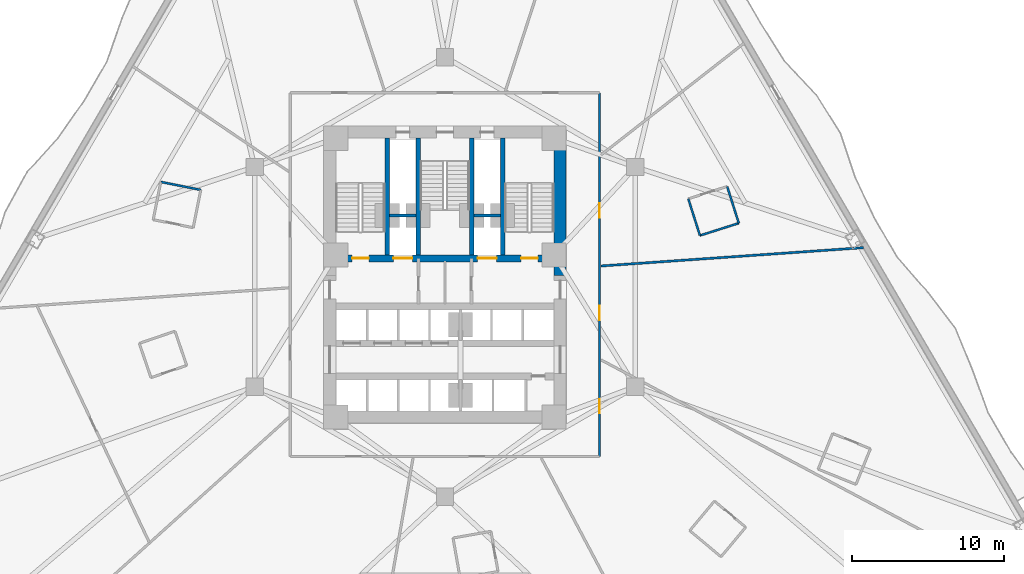
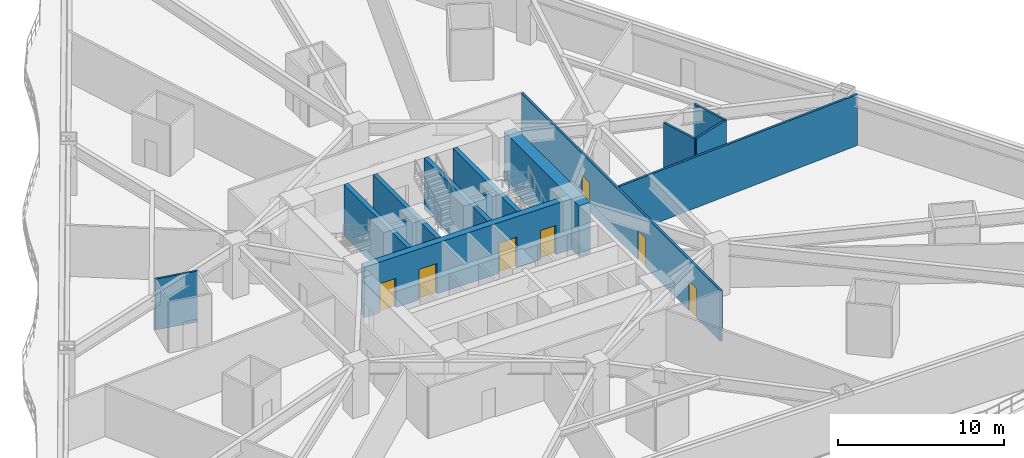
# One storey, part 5 of 12: 14 walls, 7 doors, 7 openings.
"""IFC4 building model written with IfcOpenShell, lengths in metres."""

from ifc_helpers import new_model, si_unit, direction, frame, frame_2d, origin, place, context, subcontext, project, spatial, rectangle, extrude, material, layer, layer_set, type_object, element, fill, save


model = new_model("IFC4")

# Units and contexts
model_context = context("Model", 3, precision=1e-05, world=origin(), true_north=direction((0.0, 1.0)))
body_context = subcontext(model_context, "Body", "Model", "MODEL_VIEW")
ifc_project = project(units=[si_unit("LENGTHUNIT", "METRE"), si_unit("AREAUNIT", "SQUARE_METRE"), si_unit("VOLUMEUNIT", "CUBIC_METRE"), si_unit("PLANEANGLEUNIT", "RADIAN"), si_unit("MASSUNIT", "GRAM", prefix="KILO")], contexts=[model_context])

# Site, building, storey
site_placement = place(None, origin())
site = spatial("IfcSite", under=ifc_project, at=site_placement, CompositionType="ELEMENT")
building_placement = place(site_placement, origin())
building = spatial("IfcBuilding", under=site, at=building_placement, Name="Apsidion Concourse Tower", CompositionType="ELEMENT")
storey_placement = place(building_placement, frame((0.0, 0.0, 34.39990234375)))
storey = spatial("IfcBuildingStorey", under=building, at=storey_placement, Name="L06", CompositionType="ELEMENT", Elevation=34.39990234375)

# Walls
ifc_material_1 = material(Name="Gypsum plasterboard partition")
ifc_layer_1 = layer(ifc_material_1, 0.139892578125)
ifc_layer_set_1 = layer_set([ifc_layer_1], Name="Gypsum plasterboard partition")
wall_type_1 = type_object("IfcWallType", Name="WL-INT-PAR-140", PredefinedType="PARTITIONING", material=ifc_layer_set_1)
wall_1_placement = place(storey_placement, frame((16.822021484375, 2.730712890625, 0.0), z_axis=(0.0, 0.0, 1.0), x_axis=(0.953175772707, 0.302416841998, 0.0)))
element("IfcWall", 1, at=wall_1_placement, inside=storey, type_object=wall_type_1, Name="L06 Interior Partition WL-L06-POD-ENS05-S1", PredefinedType="PARTITIONING", context=body_context, shape_type="SweptSolid", body=[
    extrude(rectangle(XDim=2.68994140625, YDim=0.139892578125, at=frame_2d((1.344970703125, 0.0))), origin(), (0.0, 0.0, 1.0), 3.75),
])
for number, where, z_axis, x_axis, name in (
    (2, (19.385986328125, 3.544189453125, 0.0), (0.0, 0.0, 1.0), (-0.302382317173, 0.953186725811, 0.0), "L06 Interior Partition WL-L06-POD-ENS05-S2"),
    (3, (16.0537109375, 5.15185546875, 0.0), (0.0, 0.0, 1.0), (0.302469641391, -0.953159019281, 0.0), "L06 Interior Partition WL-L06-POD-ENS05-S4"),
):
    element("IfcWall", number, at=place(storey_placement, frame(where, z_axis=z_axis, x_axis=x_axis)), inside=storey, type_object=wall_type_1, Name=name, PredefinedType="PARTITIONING", context=body_context, shape_type="SweptSolid", body=[
        extrude(rectangle(XDim=2.5400390625, YDim=0.139892578125, at=frame_2d((1.27001953125, 0.0))), origin(), (0.0, 0.0, 1.0), 3.75),
    ])
wall_2_placement = place(storey_placement, frame((-16.11181640625, 5.73974609375, 0.0), z_axis=(0.0, 0.0, 1.0), x_axis=(-0.980615566205, 0.195941601799, 0.0)))
element("IfcWall", 4, at=wall_2_placement, inside=storey, type_object=wall_type_1, Name="L06 Interior Partition WL-L06-POD-ENS09-S1", PredefinedType="PARTITIONING", context=body_context, shape_type="SweptSolid", body=[
    extrude(rectangle(XDim=2.690185546875, YDim=0.139892578125, at=frame_2d((1.34521484375, 0.0))), origin(), (0.0, 0.0, 1.0), 3.75),
])

# Wall, openings, doors
ifc_layer_2 = layer(ifc_material_1, 0.14990234375)
ifc_layer_set_2 = layer_set([ifc_layer_2], Name="Gypsum plasterboard partition")
wall_type_2 = type_object("IfcWallType", Name="WL-INT-PAR-150", PredefinedType="PARTITIONING", material=ifc_layer_set_2)
wall_3_placement = place(storey_placement, frame((10.199951171875, 12.14990234375, 0.0), z_axis=(0.0, 0.0, 1.0), x_axis=(0.0, -1.0, 0.0)))
wall_3 = element("IfcWall", 5, at=wall_3_placement, inside=storey, type_object=wall_type_2, Name="L06 Interior Partition WL-L06-CORR-02", PredefinedType="PARTITIONING", context=body_context, shape_type="SweptSolid", body=[
    extrude(rectangle(XDim=24.0, YDim=0.14990234375, at=frame_2d((12.0, 0.0))), origin(), (0.0, 0.0, 1.0), 3.75),
])
opening_1_placement = place(wall_3_placement, frame((20.210693359375, 0.0, 0.0)))
opening_1 = element("IfcOpeningElement", 6, at=opening_1_placement, cuts=wall_3, Name="Opening D-01R", PredefinedType="OPENING", context=body_context, shape_type="SweptSolid", body=[
    extrude(rectangle(XDim=0.949951171875, YDim=2.14990234375, at=frame_2d((0.47509765625, 1.074951171875))), frame((0.0, 0.0849609375, 0.0), z_axis=(0.0, -1.0, 0.0), x_axis=(1.0, 0.0, 0.0)), (0.0, 0.0, 1.0), 0.169921875),
])
opening_2_placement = place(wall_3_placement, frame((14.0498046875, 0.0, 0.0)))
opening_2 = element("IfcOpeningElement", 7, at=opening_2_placement, cuts=wall_3, Name="Opening D-01L", PredefinedType="OPENING", context=body_context, shape_type="SweptSolid", body=[
    extrude(rectangle(XDim=0.949951171875, YDim=2.14990234375, at=frame_2d((0.47509765625, 1.074951171875))), frame((0.0, 0.0849609375, 0.0), z_axis=(0.0, -1.0, 0.0), x_axis=(1.0, 0.0, 0.0)), (0.0, 0.0, 1.0), 0.169921875),
])
opening_3_placement = place(wall_3_placement, frame((7.29150390625, 0.0, 0.0)))
opening_3 = element("IfcOpeningElement", 8, at=opening_3_placement, cuts=wall_3, Name="Opening D-01R", PredefinedType="OPENING", context=body_context, shape_type="SweptSolid", body=[
    extrude(rectangle(XDim=0.949951171875, YDim=2.14990234375, at=frame_2d((0.47509765625, 1.074951171875))), frame((0.0, 0.0849609375, 0.0), z_axis=(0.0, -1.0, 0.0), x_axis=(1.0, 0.0, 0.0)), (0.0, 0.0, 1.0), 0.169921875),
])
ifc_material_2 = material(Name="Brushed stainless steel 316", Category="steel")
door_type_1 = type_object("IfcDoorType", Name="DR-INT-D01L", OperationType="SINGLE_SWING_LEFT", PredefinedType="DOOR", material=ifc_material_2)
door_1_placement = place(opening_2_placement, origin())
door_1 = element("IfcDoor", 9, at=door_1_placement, inside=storey, type_object=door_type_1, Name="L06 Corridor Entry Door 05", OperationType="SINGLE_SWING_LEFT", OverallHeight=2.14990234375, OverallWidth=0.949951171875, PredefinedType="DOOR", context=body_context, shape_type="SweptSolid", body=[
    extrude(rectangle(XDim=0.949951171875, YDim=2.14990234375, at=frame_2d((0.47509765625, 1.074951171875))), frame((0.0, 0.02490234375, 0.0), z_axis=(0.0, -1.0, 0.0), x_axis=(1.0, 0.0, 0.0)), (0.0, 0.0, 1.0), 0.050048828125),
])
fill(opening_2, door_1)
door_type_2 = type_object("IfcDoorType", Name="DR-INT-D01R", OperationType="SINGLE_SWING_RIGHT", PredefinedType="DOOR", material=ifc_material_2)
door_2_placement = place(opening_1_placement, origin())
door_2 = element("IfcDoor", 10, at=door_2_placement, inside=storey, type_object=door_type_2, Name="L06 Corridor Entry Door 04", OperationType="SINGLE_SWING_RIGHT", OverallHeight=2.14990234375, OverallWidth=0.949951171875, PredefinedType="DOOR", context=body_context, shape_type="SweptSolid", body=[
    extrude(rectangle(XDim=0.949951171875, YDim=2.14990234375, at=frame_2d((0.47509765625, 1.074951171875))), frame((0.0, 0.02490234375, 0.0), z_axis=(0.0, -1.0, 0.0), x_axis=(1.0, 0.0, 0.0)), (0.0, 0.0, 1.0), 0.050048828125),
])
fill(opening_1, door_2)
door_3_placement = place(opening_3_placement, origin())
door_3 = element("IfcDoor", 11, at=door_3_placement, inside=storey, type_object=door_type_2, Name="L06 Corridor Entry Door 06", OperationType="SINGLE_SWING_RIGHT", OverallHeight=2.14990234375, OverallWidth=0.949951171875, PredefinedType="DOOR", context=body_context, shape_type="SweptSolid", body=[
    extrude(rectangle(XDim=0.949951171875, YDim=2.14990234375, at=frame_2d((0.47509765625, 1.074951171875))), frame((0.0, 0.02490234375, 0.0), z_axis=(0.0, -1.0, 0.0), x_axis=(1.0, 0.0, 0.0)), (0.0, 0.0, 1.0), 0.050048828125),
])
fill(opening_3, door_3)

# Walls
wall_4_placement = place(storey_placement, frame((10.304931640625, 0.720703125, 0.0), z_axis=(0.0, 0.0, 1.0), x_axis=(0.997564495515, 0.069750106007, 0.0)))
element("IfcWall", 12, at=wall_4_placement, inside=storey, type_object=wall_type_2, Name="L06 Interior Partition WL-L06-RAD-01-1", PredefinedType="PARTITIONING", context=body_context, shape_type="SweptSolid", body=[
    extrude(rectangle(XDim=17.340087890625, YDim=0.14990234375, at=frame_2d((8.669921875, 0.0))), origin(), (0.0, 0.0, 1.0), 3.75),
])
ifc_layer_3 = layer(ifc_material_1, 0.199951171875)
ifc_layer_set_3 = layer_set([ifc_layer_3], Name="Gypsum plasterboard partition")
wall_type_3 = type_object("IfcWallType", Name="WL-INT-PAR-200", PredefinedType="PARTITIONING", material=ifc_layer_set_3)
for number, where, z_axis, x_axis, name in (
    (13, (-3.64990234375, 4.050048828125, 0.0), (0.0, 0.0, 1.0), (1.0, 0.0, 0.0), "L06 Interior Partition WL-L06-FF1-N"),
    (14, (1.919921875, 4.050048828125, 0.0), (0.0, 0.0, 1.0), (1.0, 0.0, 0.0), "L06 Interior Partition WL-L06-FF2-N"),
):
    element("IfcWall", number, at=place(storey_placement, frame(where, z_axis=z_axis, x_axis=x_axis)), inside=storey, type_object=wall_type_3, Name=name, PredefinedType="PARTITIONING", context=body_context, shape_type="SweptSolid", body=[
        extrude(rectangle(XDim=1.72998046875, YDim=0.199951171875, at=frame_2d((0.864990234375, 0.0))), origin(), (0.0, 0.0, 1.0), 3.75),
    ])
ifc_material_3 = material(Name="Concrete C50/60", Category="concrete")
ifc_layer_4 = layer(ifc_material_3, 0.300048828125)
ifc_layer_set_4 = layer_set([ifc_layer_4], Name="Concrete C50/60")
wall_type_4 = type_object("IfcWallType", Name="WL-SH-300", PredefinedType="SHEAR", material=ifc_layer_set_4)
for number, where, z_axis, x_axis, name in (
    (15, (-3.800048828125, 1.449951171875, 0.0), (0.0, 0.0, 1.0), (0.0, 1.0, 0.0), "L06 Central Core Shear Wall V1"),
    (16, (-1.77490234375, 1.449951171875, 0.0), (0.0, 0.0, 1.0), (0.0, 1.0, 0.0), "L06 Central Core Shear Wall V2"),
    (17, (1.77490234375, 1.449951171875, 0.0), (0.0, 0.0, 1.0), (0.0, 1.0, 0.0), "L06 Central Core Shear Wall V3"),
    (18, (3.800048828125, 1.449951171875, 0.0), (0.0, 0.0, 1.0), (0.0, 1.0, 0.0), "L06 Central Core Shear Wall V4"),
):
    element("IfcWall", number, at=place(storey_placement, frame(where, z_axis=z_axis, x_axis=x_axis)), inside=storey, type_object=wall_type_4, Name=name, PredefinedType="SHEAR", context=body_context, shape_type="SweptSolid", body=[
        extrude(rectangle(XDim=7.699951171875, YDim=0.300048828125, at=frame_2d((3.85009765625, 0.0))), origin(), (0.0, 0.0, 1.0), 3.75),
    ])

# Wall, openings, doors
ifc_material_4 = material(Name="Concrete C60/75", Category="concrete")
ifc_layer_5 = layer(ifc_material_4, 0.449951171875)
ifc_layer_set_5 = layer_set([ifc_layer_5], Name="Concrete C60/75")
wall_type_5 = type_object("IfcWallType", Name="WL-SH-450", PredefinedType="SHEAR", material=ifc_layer_set_5)
wall_5_placement = place(storey_placement, frame((-7.199951171875, 1.22509765625, 0.0), z_axis=(0.0, 0.0, 1.0), x_axis=(1.0, 0.0, 0.0)))
wall_5 = element("IfcWall", 19, at=wall_5_placement, inside=storey, type_object=wall_type_5, Name="L06 Central Core Shear Wall M1", PredefinedType="SHEAR", context=body_context, shape_type="SweptSolid", body=[
    extrude(rectangle(XDim=14.39990234375, YDim=0.449951171875, at=frame_2d((7.199951171875, 0.0))), origin(), (0.0, 0.0, 1.0), 3.75),
])
opening_4_placement = place(wall_5_placement, frame((3.794921875, 0.0, 0.0)))
opening_4 = element("IfcOpeningElement", 20, at=opening_4_placement, cuts=wall_5, Name="Opening LD-FF", PredefinedType="OPENING", context=body_context, shape_type="SweptSolid", body=[
    extrude(rectangle(XDim=1.25, YDim=2.25, at=frame_2d((0.625, 1.125))), frame((0.0, 0.23486328125, 0.0), z_axis=(0.0, -1.0, 0.0), x_axis=(1.0, 0.0, 0.0)), (0.0, 0.0, 1.0), 0.469970703125),
])
opening_5_placement = place(wall_5_placement, frame((9.35498046875, 0.0, 0.0)))
opening_5 = element("IfcOpeningElement", 21, at=opening_5_placement, cuts=wall_5, Name="Opening LD-FF", PredefinedType="OPENING", context=body_context, shape_type="SweptSolid", body=[
    extrude(rectangle(XDim=1.25, YDim=2.25, at=frame_2d((0.625, 1.125))), frame((0.0, 0.23486328125, 0.0), z_axis=(0.0, -1.0, 0.0), x_axis=(1.0, 0.0, 0.0)), (0.0, 0.0, 1.0), 0.469970703125),
])
opening_6_placement = place(wall_5_placement, frame((1.074951171875, 0.0, 0.0)))
opening_6 = element("IfcOpeningElement", 22, at=opening_6_placement, cuts=wall_5, Name="Opening D-STL", PredefinedType="OPENING", context=body_context, shape_type="SweptSolid", body=[
    extrude(rectangle(XDim=1.10009765625, YDim=2.14990234375, at=frame_2d((0.550048828125, 1.074951171875))), frame((0.0, 0.23486328125, 0.0), z_axis=(0.0, -1.0, 0.0), x_axis=(1.0, 0.0, 0.0)), (0.0, 0.0, 1.0), 0.469970703125),
])
opening_7_placement = place(wall_5_placement, frame((12.22509765625, 0.0, 0.0)))
opening_7 = element("IfcOpeningElement", 23, at=opening_7_placement, cuts=wall_5, Name="Opening D-STR", PredefinedType="OPENING", context=body_context, shape_type="SweptSolid", body=[
    extrude(rectangle(XDim=1.10009765625, YDim=2.14990234375, at=frame_2d((0.550048828125, 1.074951171875))), frame((0.0, 0.23486328125, 0.0), z_axis=(0.0, -1.0, 0.0), x_axis=(1.0, 0.0, 0.0)), (0.0, 0.0, 1.0), 0.469970703125),
])
door_type_3 = type_object("IfcDoorType", Name="DR-INT-ST1L", OperationType="SINGLE_SWING_LEFT", PredefinedType="DOOR", material=ifc_material_2)
door_4_placement = place(opening_6_placement, origin())
door_4 = element("IfcDoor", 24, at=door_4_placement, inside=storey, type_object=door_type_3, Name="L06 Core Exit Stair ST1 Door", OperationType="SINGLE_SWING_LEFT", OverallHeight=2.14990234375, OverallWidth=1.10009765625, PredefinedType="DOOR", context=body_context, shape_type="SweptSolid", body=[
    extrude(rectangle(XDim=1.10009765625, YDim=2.14990234375, at=frame_2d((0.550048828125, 1.074951171875))), frame((0.0, 0.02490234375, 0.0), z_axis=(0.0, -1.0, 0.0), x_axis=(1.0, 0.0, 0.0)), (0.0, 0.0, 1.0), 0.050048828125),
])
fill(opening_6, door_4)
door_type_4 = type_object("IfcDoorType", Name="DR-INT-ST1R", OperationType="SINGLE_SWING_RIGHT", PredefinedType="DOOR", material=ifc_material_2)
door_5_placement = place(opening_7_placement, origin())
door_5 = element("IfcDoor", 25, at=door_5_placement, inside=storey, type_object=door_type_4, Name="L06 Core Exit Stair ST2 Door", OperationType="SINGLE_SWING_RIGHT", OverallHeight=2.14990234375, OverallWidth=1.10009765625, PredefinedType="DOOR", context=body_context, shape_type="SweptSolid", body=[
    extrude(rectangle(XDim=1.10009765625, YDim=2.14990234375, at=frame_2d((0.550048828125, 1.074951171875))), frame((0.0, 0.02490234375, 0.0), z_axis=(0.0, -1.0, 0.0), x_axis=(1.0, 0.0, 0.0)), (0.0, 0.0, 1.0), 0.050048828125),
])
fill(opening_7, door_5)
door_type_5 = type_object("IfcDoorType", Name="DR-LD-FSAE", OperationType="DOUBLE_DOOR_SLIDING", PredefinedType="DOOR", material=ifc_material_2)
door_6_placement = place(opening_4_placement, origin())
door_6 = element("IfcDoor", 26, at=door_6_placement, inside=storey, type_object=door_type_5, Name="L06 Lift Landing Door FF1", OperationType="DOUBLE_DOOR_SLIDING", OverallHeight=2.25, OverallWidth=1.25, PredefinedType="DOOR", context=body_context, shape_type="SweptSolid", body=[
    extrude(rectangle(XDim=1.25, YDim=2.25, at=frame_2d((0.625, 1.125))), frame((0.0, 0.02490234375, 0.0), z_axis=(0.0, -1.0, 0.0), x_axis=(1.0, 0.0, 0.0)), (0.0, 0.0, 1.0), 0.050048828125),
])
fill(opening_4, door_6)
door_7_placement = place(opening_5_placement, origin())
door_7 = element("IfcDoor", 27, at=door_7_placement, inside=storey, type_object=door_type_5, Name="L06 Lift Landing Door FF2", OperationType="DOUBLE_DOOR_SLIDING", OverallHeight=2.25, OverallWidth=1.25, PredefinedType="DOOR", context=body_context, shape_type="SweptSolid", body=[
    extrude(rectangle(XDim=1.25, YDim=2.25, at=frame_2d((0.625, 1.125))), frame((0.0, 0.02490234375, 0.0), z_axis=(0.0, -1.0, 0.0), x_axis=(1.0, 0.0, 0.0)), (0.0, 0.0, 1.0), 0.050048828125),
])
fill(opening_5, door_7)

# Wall
ifc_layer_6 = layer(ifc_material_4, 0.800048828125)
ifc_layer_set_6 = layer_set([ifc_layer_6], Name="Concrete C60/75")
wall_type_6 = type_object("IfcWallType", Name="WL-SH-800", PredefinedType="SHEAR", material=ifc_layer_set_6)
wall_6_placement = place(storey_placement, frame((7.60009765625, 0.10009765625, 0.0), z_axis=(0.0, 0.0, 1.0), x_axis=(0.0, 1.0, 0.0)))
element("IfcWall", 28, at=wall_6_placement, inside=storey, type_object=wall_type_6, Name="L06 Central Core Shear Wall EN", PredefinedType="SHEAR", context=body_context, shape_type="SweptSolid", body=[
    extrude(rectangle(XDim=9.0498046875, YDim=0.800048828125, at=frame_2d((4.52490234375, 0.0))), origin(), (0.0, 0.0, 1.0), 3.75),
])

save(model, "model.ifc")
